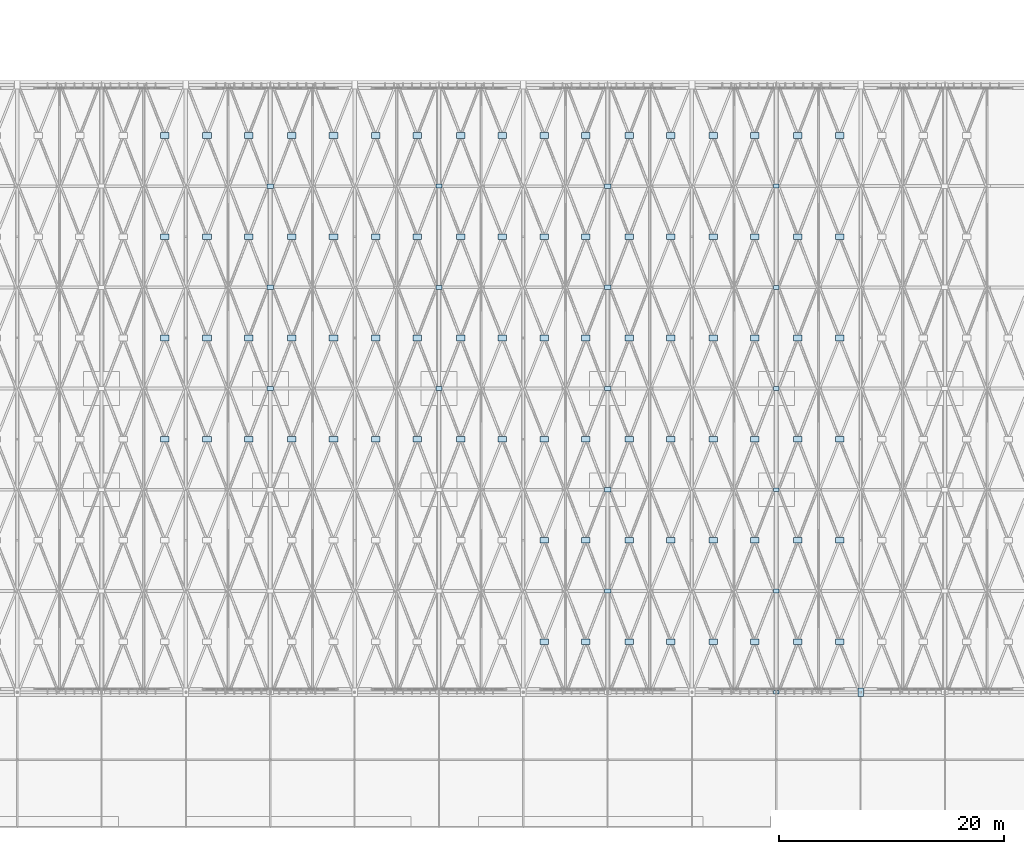
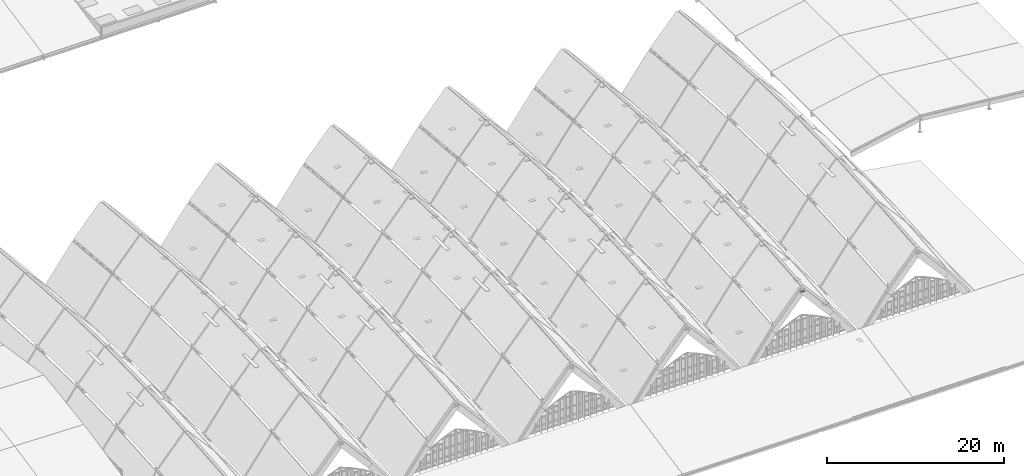
# One storey, part 68 of 93: 102 plates.
"""IFC4 building model written with IfcOpenShell, lengths in metres."""

import ifcopenshell
import ifcopenshell.guid

model = None  # the IFC model being written
_history = None  # IfcOwnerHistory: only IFC2X3 demands one
_inside = {}  # id of a spatial element -> (the spatial element, [elements in it])
_under = {}  # id of a project, library or spatial element -> (it, [spatial elements below it])
_declared = {}  # id of a project -> (the project, [libraries it declares])
_typed = {}  # id of a type object -> (the type object, [elements of that type])
_made_of = {}  # id of a material, layer set ... -> (it, [elements and type objects made of it])


def new_model(schema):
    """Start an empty IFC model of exactly this schema.

    Asked for "IFC4X3", IfcOpenShell would pick the latest addendum, in which some entities
    have other attributes; the version numbers below select the first issue.
    IFC2X3 requires an IfcOwnerHistory on every rooted entity: one is made here for all.
    """
    global model, _history
    if schema == "IFC4X3":
        model = ifcopenshell.file(schema_version=(4, 3, 0, 0))
    else:
        model = ifcopenshell.file(schema=schema)
    _inside.clear()
    _under.clear()
    _declared.clear()
    _typed.clear()
    _made_of.clear()
    _history = None
    if model.schema == "IFC2X3":
        org = make("IfcOrganization", Name="unknown")
        user = make(
            "IfcPersonAndOrganization",
            ThePerson=make("IfcPerson", FamilyName="unknown"),
            TheOrganization=org,
        )
        app = make(
            "IfcApplication",
            ApplicationDeveloper=org,
            Version="unknown",
            ApplicationFullName="unknown",
            ApplicationIdentifier="unknown",
        )
        _history = make(
            "IfcOwnerHistory",
            OwningUser=user,
            OwningApplication=app,
            ChangeAction="ADDED",
            CreationDate=0,
        )
    return model


def make(cls, **values):
    """One entity of the class cls with the attributes given. An attribute that is None is left unset."""
    return model.create_entity(
        cls, **{name: value for name, value in values.items() if value is not None}
    )


def rooted(cls, **values):
    """An entity with a GlobalId (a new one), such as an element, a storey or a relation."""
    return make(cls, GlobalId=ifcopenshell.guid.new(), OwnerHistory=_history, **values)


def si_unit(unit_type, name, prefix=None):
    """IfcSIUnit, for example si_unit("LENGTHUNIT", "METRE", prefix="MILLI")."""
    return make("IfcSIUnit", UnitType=unit_type, Prefix=prefix, Name=name)


def assignment(units):
    """IfcUnitAssignment: the units of a project."""
    return None if units is None else make("IfcUnitAssignment", Units=units)


def point(xyz):
    """IfcCartesianPoint."""
    return None if xyz is None else make("IfcCartesianPoint", Coordinates=xyz)


def direction(xyz):
    """IfcDirection."""
    return None if xyz is None else make("IfcDirection", DirectionRatios=xyz)


def frame(location, z_axis=None, x_axis=None):
    """IfcAxis2Placement3D, a coordinate frame: its origin and axes. An axis left out is left unset."""
    return make(
        "IfcAxis2Placement3D",
        Location=point(location),
        Axis=direction(z_axis),
        RefDirection=direction(x_axis),
    )


def frame_2d(location, x_axis=None):
    """IfcAxis2Placement2D, a coordinate frame in the plane: its origin and x axis."""
    return make(
        "IfcAxis2Placement2D", Location=point(location), RefDirection=direction(x_axis)
    )


def origin():
    """The frame at (0, 0, 0) with its axes left unset."""
    return frame((0.0, 0.0, 0.0))


def origin_2d():
    """The frame at (0, 0) in the plane with its x axis left unset."""
    return frame_2d((0.0, 0.0))


def place(relative_to, where):
    """IfcLocalPlacement: puts the frame where relative to a parent placement (None: the world)."""
    return make(
        "IfcLocalPlacement", PlacementRelTo=relative_to, RelativePlacement=where
    )


def context(
    kind, dimensions, precision=None, world=None, true_north=None, identifier=None
):
    """IfcGeometricRepresentationContext, for example the 3D "Model" context."""
    return make(
        "IfcGeometricRepresentationContext",
        ContextIdentifier=identifier,
        ContextType=kind,
        CoordinateSpaceDimension=dimensions,
        Precision=precision,
        WorldCoordinateSystem=world,
        TrueNorth=true_north,
    )


def subcontext(parent, identifier, kind, view, scale=None):
    """IfcGeometricRepresentationSubContext, for example "Body" below "Model"."""
    return make(
        "IfcGeometricRepresentationSubContext",
        ContextIdentifier=identifier,
        ContextType=kind,
        ParentContext=parent,
        TargetScale=scale,
        TargetView=view,
    )


def project(units=None, contexts=None):
    """IfcProject with its units and contexts."""
    return rooted(
        "IfcProject",
        Name="project",
        RepresentationContexts=contexts,
        UnitsInContext=assignment(units),
    )


def spatial(cls, under=None, at=None, **own):
    """A site, building, storey or space (cls), placed at a placement, below another one or the project."""
    s = rooted(cls, ObjectPlacement=at, **own)
    if under is not None:
        _under.setdefault(under.id(), (under, []))[1].append(s)
    return s


def profile(cls, at=None, kind="AREA", **sizes):
    """A parametric profile (cls). Its sizes go by their IFC names, for example OverallWidth=200.0."""
    return make(cls, ProfileType=kind, Position=at, **sizes)


def rectangle(**sizes):
    """IfcRectangleProfileDef."""
    return profile("IfcRectangleProfileDef", **sizes)


def extrude(swept, where, along, depth):
    """IfcExtrudedAreaSolid: the profile swept, set in the frame where, extruded along a direction by depth."""
    return make(
        "IfcExtrudedAreaSolid",
        SweptArea=swept,
        Position=where,
        ExtrudedDirection=direction(along),
        Depth=depth,
    )


def shape(context_of_items, identifier, shape_type, items):
    """IfcShapeRepresentation: the items that make up one representation, for example the "Body"."""
    return make(
        "IfcShapeRepresentation",
        ContextOfItems=context_of_items,
        RepresentationIdentifier=identifier,
        RepresentationType=shape_type,
        Items=items,
    )


def material(Name=None, Category=None):
    """IfcMaterial."""
    return make("IfcMaterial", Name=Name, Category=Category)


def layer(
    of_material, thickness, ventilated=None, Name=None, Category=None, Priority=None
):
    """IfcMaterialLayer: one layer of a wall or slab, of a material (None: an air gap)."""
    return make(
        "IfcMaterialLayer",
        Material=of_material,
        LayerThickness=thickness,
        IsVentilated=ventilated,
        Name=Name,
        Category=Category,
        Priority=Priority,
    )


def layer_set(layers, Name=None):
    """IfcMaterialLayerSet."""
    return make("IfcMaterialLayerSet", MaterialLayers=layers, LayerSetName=Name)


def made_of(thing, what):
    """Note that an element or type object is made of a material, layer set ...; save() writes the relation."""
    if what is not None:
        _made_of.setdefault(what.id(), (what, []))[1].append(thing)
    return thing


def type_object(cls, material=None, **own):
    """A type object (cls), such as IfcWallType, which elements share."""
    return made_of(rooted(cls, **own), material)


def element(
    cls,
    number,
    at=None,
    inside=None,
    cuts=None,
    type_object=None,
    material=None,
    context=None,
    identifier="Body",
    shape_type=None,
    held_by="IfcProductDefinitionShape",
    body=None,
    shapes=None,
    **own,
):
    """One element of the class cls, such as IfcWall. Its Tag is "e" and its number.

    at: its placement. inside: the storey or other place that contains it. cuts: it is an
    opening in that element (IfcRelVoidsElement). A single representation is given by context,
    identifier, shape_type and body (its items); several are given by shapes. held_by: the class
    of the entity that holds the representations. save() writes the other relations.
    """
    e = rooted(cls, Tag="e%d" % number, ObjectPlacement=at, **own)
    if body is not None:
        shapes = [shape(context, identifier, shape_type, body)]
    if shapes is not None:
        e.Representation = make(held_by, Representations=shapes)
    if inside is not None:
        _inside.setdefault(inside.id(), (inside, []))[1].append(e)
    if cuts is not None:
        rooted(
            "IfcRelVoidsElement", RelatingBuildingElement=cuts, RelatedOpeningElement=e
        )
    if type_object is not None:
        _typed.setdefault(type_object.id(), (type_object, []))[1].append(e)
    return made_of(e, material)


def aggregate(whole, parts):
    """IfcRelAggregates: a whole, such as a stair, and the parts it consists of."""
    return rooted("IfcRelAggregates", RelatingObject=whole, RelatedObjects=parts)


def save(model, path):
    """Write the relations noted so far, then the file.

    IfcRelAggregates (storeys below a building ...), IfcRelContainedInSpatialStructure (elements
    in a storey), IfcRelDefinesByType, IfcRelAssociatesMaterial and IfcRelDeclares: one each for
    every whole, place, type object, material and project.
    """
    for whole, parts in _under.values():
        aggregate(whole, parts)
    for where, things in _inside.values():
        rooted(
            "IfcRelContainedInSpatialStructure",
            RelatedElements=things,
            RelatingStructure=where,
        )
    for kind, things in _typed.values():
        rooted("IfcRelDefinesByType", RelatedObjects=things, RelatingType=kind)
    for what, things in _made_of.values():
        rooted("IfcRelAssociatesMaterial", RelatedObjects=things, RelatingMaterial=what)
    for by, libraries in _declared.values():
        rooted("IfcRelDeclares", RelatingContext=by, RelatedDefinitions=libraries)
    model.write(path)


model = new_model("IFC4")

# Units and contexts
model_context = context("Model", 3, precision=1e-05, world=origin(), true_north=direction((0.0, 1.0)))
body_context = subcontext(model_context, "Body", "Model", "MODEL_VIEW")
ifc_project = project(units=[si_unit("LENGTHUNIT", "METRE"), si_unit("AREAUNIT", "SQUARE_METRE"), si_unit("VOLUMEUNIT", "CUBIC_METRE"), si_unit("PLANEANGLEUNIT", "RADIAN"), si_unit("MASSUNIT", "GRAM", prefix="KILO")], contexts=[model_context])

# Site, building, storey
site_placement = place(None, origin())
site = spatial("IfcSite", under=ifc_project, at=site_placement, CompositionType="ELEMENT")
building_placement = place(site_placement, origin())
building = spatial("IfcBuilding", under=site, at=building_placement, Name="Vourika Railside Aquatics Centre", CompositionType="ELEMENT")
storey_placement = place(building_placement, frame((0.0, 0.0, 21.89990234375)))
storey = spatial("IfcBuildingStorey", under=building, at=storey_placement, Name="Roof", CompositionType="ELEMENT", Elevation=21.89990234375)

# Plates
ifc_material = material(Name="Duplex stainless steel EN 1.4462", Category="steel")
ifc_layer_1 = layer(ifc_material, 0.02001953125, Name="PLT-RIDGE-520x340x20")
ifc_layer_set_1 = layer_set([ifc_layer_1], Name="Duplex stainless steel EN 1.4462")
plate_type_1 = type_object("IfcPlateType", Name="PLT-RIDGE-520x340x20", PredefinedType="USERDEFINED", material=ifc_layer_set_1)
for number, where, z_axis, x_axis, name in (
    (1, (88.5, 39.0, -0.7099609375), (0.0, 0.0, 1.0), (1.0, 0.0, 0.0), "Stainless Vault Ridge Gusset Plate SN-199"),
    (2, (88.5, 48.0, -0.92431640625), (0.0, 0.0, 1.0), (1.0, 0.0, 0.0), "Stainless Vault Ridge Gusset Plate SN-200"),
    (3, (88.5, 57.0, -1.510009765625), (0.0, 0.0, 1.0), (1.0, 0.0, 0.0), "Stainless Vault Ridge Gusset Plate SN-201"),
    (4, (118.5, 12.0, -2.309814453125), (0.0, 0.0, 1.0), (1.0, 0.0, 0.0), "Stainless Vault Ridge Gusset Plate SN-258"),
    (5, (118.5, 21.0, -1.510009765625), (0.0, 0.0, 1.0), (1.0, 0.0, 0.0), "Stainless Vault Ridge Gusset Plate SN-259"),
    (6, (118.5, 30.0, -0.92431640625), (0.0, 0.0, 1.0), (1.0, 0.0, 0.0), "Stainless Vault Ridge Gusset Plate SN-260"),
    (7, (118.5, 39.0, -0.7099609375), (0.0, 0.0, 1.0), (1.0, 0.0, 0.0), "Stainless Vault Ridge Gusset Plate SN-261"),
    (8, (118.5, 48.0, -0.92431640625), (0.0, 0.0, 1.0), (1.0, 0.0, 0.0), "Stainless Vault Ridge Gusset Plate SN-262"),
    (9, (118.5, 57.0, -1.510009765625), (0.0, 0.0, 1.0), (1.0, 0.0, 0.0), "Stainless Vault Ridge Gusset Plate SN-263"),
):
    element("IfcPlate", number, at=place(storey_placement, frame(where, z_axis=z_axis, x_axis=x_axis)), inside=storey, type_object=plate_type_1, Name=name, ObjectType="GUSSET PLATE", PredefinedType="USERDEFINED", context=body_context, shape_type="SweptSolid", body=[
        extrude(rectangle(XDim=0.52001953125, YDim=0.340087890625, at=origin_2d()), origin(), (0.0, 0.0, 1.0), 0.02001953125),
    ])
ifc_layer_2 = layer(ifc_material, 0.02490234375, Name="PLT-RIDGE-580x380x25")
ifc_layer_set_2 = layer_set([ifc_layer_2], Name="Duplex stainless steel EN 1.4462")
plate_type_2 = type_object("IfcPlateType", Name="PLT-RIDGE-580x380x25", PredefinedType="USERDEFINED", material=ifc_layer_set_2)
for number, where, z_axis, x_axis, name in (
    (10, (73.5, 39.0, -0.71240234375), (0.0, 0.0, 1.0), (1.0, 0.0, 0.0), "Stainless Vault Ridge Gusset Plate SN-168"),
    (11, (73.5, 48.0, -0.9267578125), (0.0, 0.0, 1.0), (1.0, 0.0, 0.0), "Stainless Vault Ridge Gusset Plate SN-169"),
    (12, (73.5, 57.0, -1.512451171875), (0.0, 0.0, 1.0), (1.0, 0.0, 0.0), "Stainless Vault Ridge Gusset Plate SN-170"),
    (13, (103.5, 21.0, -1.512451171875), (0.0, 0.0, 1.0), (1.0, 0.0, 0.0), "Stainless Vault Ridge Gusset Plate SN-228"),
    (14, (103.5, 30.0, -0.9267578125), (0.0, 0.0, 1.0), (1.0, 0.0, 0.0), "Stainless Vault Ridge Gusset Plate SN-229"),
    (15, (103.5, 39.0, -0.71240234375), (0.0, 0.0, 1.0), (1.0, 0.0, 0.0), "Stainless Vault Ridge Gusset Plate SN-230"),
    (16, (103.5, 48.0, -0.9267578125), (0.0, 0.0, 1.0), (1.0, 0.0, 0.0), "Stainless Vault Ridge Gusset Plate SN-231"),
    (17, (103.5, 57.0, -1.512451171875), (0.0, 0.0, 1.0), (1.0, 0.0, 0.0), "Stainless Vault Ridge Gusset Plate SN-232"),
):
    element("IfcPlate", number, at=place(storey_placement, frame(where, z_axis=z_axis, x_axis=x_axis)), inside=storey, type_object=plate_type_2, Name=name, ObjectType="GUSSET PLATE", PredefinedType="USERDEFINED", context=body_context, shape_type="SweptSolid", body=[
        extrude(rectangle(XDim=0.580078125, YDim=0.3798828125, at=origin_2d()), origin(), (0.0, 0.0, 1.0), 0.02490234375),
    ])
ifc_layer_3 = layer(ifc_material, 0.028076171875, Name="PLT-VAL-760x500x28")
ifc_layer_set_3 = layer_set([ifc_layer_3], Name="Duplex stainless steel EN 1.4462")
plate_type_3 = type_object("IfcPlateType", Name="PLT-VAL-760x500x28", PredefinedType="USERDEFINED", material=ifc_layer_set_3)
for number, where, z_axis, x_axis, name in (
    (18, (126.0, 12.0, -11.7138671875), (0.0, 0.0, 1.0), (0.0, 1.0, 0.0), "Stainless Valley Truss Gusset SN-096"),
    (19, (64.125, 34.5, -7.6689453125), (0.0, 0.0, 1.0), (1.0, 0.0, 0.0), "Gridshell X-Brace Crossing Node Gusset SN-0152"),
    (20, (64.125, 43.5, -7.6689453125), (0.0, 0.0, 1.0), (1.0, 0.0, 0.0), "Gridshell X-Brace Crossing Node Gusset SN-0156"),
    (21, (64.125, 52.5, -8.0693359375), (0.0, 0.0, 1.0), (1.0, 0.0, 0.0), "Gridshell X-Brace Crossing Node Gusset SN-0160"),
    (22, (64.125, 61.5, -8.763671875), (0.0, 0.0, 1.0), (1.0, 0.0, 0.0), "Gridshell X-Brace Crossing Node Gusset SN-0164"),
    (23, (67.875, 34.5, -7.6689453125), (0.0, 0.0, 1.0), (1.0, 0.0, 0.0), "Gridshell X-Brace Crossing Node Gusset SN-0180"),
    (24, (71.572509765625, 34.5, -3.029296875), (0.0, 0.0, 1.0), (1.0, 0.0, 0.0), "Gridshell X-Brace Crossing Node Gusset SN-0181"),
    (25, (75.427490234375, 34.5, -3.029296875), (0.0, 0.0, 1.0), (1.0, 0.0, 0.0), "Gridshell X-Brace Crossing Node Gusset SN-0182"),
    (26, (79.125, 34.5, -7.6689453125), (0.0, 0.0, 1.0), (1.0, 0.0, 0.0), "Gridshell X-Brace Crossing Node Gusset SN-0183"),
    (27, (67.875, 43.5, -7.6689453125), (0.0, 0.0, 1.0), (1.0, 0.0, 0.0), "Gridshell X-Brace Crossing Node Gusset SN-0184"),
    (28, (71.572509765625, 43.5, -3.029296875), (0.0, 0.0, 1.0), (1.0, 0.0, 0.0), "Gridshell X-Brace Crossing Node Gusset SN-0185"),
    (29, (75.427490234375, 43.5, -3.029296875), (0.0, 0.0, 1.0), (1.0, 0.0, 0.0), "Gridshell X-Brace Crossing Node Gusset SN-0186"),
    (30, (79.125, 43.5, -7.6689453125), (0.0, 0.0, 1.0), (1.0, 0.0, 0.0), "Gridshell X-Brace Crossing Node Gusset SN-0187"),
    (31, (67.875, 52.5, -8.0693359375), (0.0, 0.0, 1.0), (1.0, 0.0, 0.0), "Gridshell X-Brace Crossing Node Gusset SN-0188"),
    (32, (71.572509765625, 52.5, -3.4296875), (0.0, 0.0, 1.0), (1.0, 0.0, 0.0), "Gridshell X-Brace Crossing Node Gusset SN-0189"),
    (33, (75.427490234375, 52.5, -3.4296875), (0.0, 0.0, 1.0), (1.0, 0.0, 0.0), "Gridshell X-Brace Crossing Node Gusset SN-0190"),
    (34, (79.125, 52.5, -8.0693359375), (0.0, 0.0, 1.0), (1.0, 0.0, 0.0), "Gridshell X-Brace Crossing Node Gusset SN-0191"),
    (35, (67.875, 61.5, -8.763671875), (0.0, 0.0, 1.0), (1.0, 0.0, 0.0), "Gridshell X-Brace Crossing Node Gusset SN-0192"),
    (36, (71.572509765625, 61.5, -4.12353515625), (0.0, 0.0, 1.0), (1.0, 0.0, 0.0), "Gridshell X-Brace Crossing Node Gusset SN-0193"),
    (37, (75.427490234375, 61.5, -4.12353515625), (0.0, 0.0, 1.0), (1.0, 0.0, 0.0), "Gridshell X-Brace Crossing Node Gusset SN-0194"),
    (38, (79.125, 61.5, -8.763671875), (0.0, 0.0, 1.0), (1.0, 0.0, 0.0), "Gridshell X-Brace Crossing Node Gusset SN-0195"),
    (39, (82.875, 34.5, -7.6689453125), (0.0, 0.0, 1.0), (1.0, 0.0, 0.0), "Gridshell X-Brace Crossing Node Gusset SN-0211"),
    (40, (86.572509765625, 34.5, -3.029296875), (0.0, 0.0, 1.0), (1.0, 0.0, 0.0), "Gridshell X-Brace Crossing Node Gusset SN-0212"),
    (41, (90.427490234375, 34.5, -3.029296875), (0.0, 0.0, 1.0), (1.0, 0.0, 0.0), "Gridshell X-Brace Crossing Node Gusset SN-0213"),
    (42, (94.125, 34.5, -7.6689453125), (0.0, 0.0, 1.0), (1.0, 0.0, 0.0), "Gridshell X-Brace Crossing Node Gusset SN-0214"),
    (43, (82.875, 43.5, -7.6689453125), (0.0, 0.0, 1.0), (1.0, 0.0, 0.0), "Gridshell X-Brace Crossing Node Gusset SN-0215"),
    (44, (86.572509765625, 43.5, -3.029296875), (0.0, 0.0, 1.0), (1.0, 0.0, 0.0), "Gridshell X-Brace Crossing Node Gusset SN-0216"),
    (45, (90.427490234375, 43.5, -3.029296875), (0.0, 0.0, 1.0), (1.0, 0.0, 0.0), "Gridshell X-Brace Crossing Node Gusset SN-0217"),
    (46, (94.125, 43.5, -7.6689453125), (0.0, 0.0, 1.0), (1.0, 0.0, 0.0), "Gridshell X-Brace Crossing Node Gusset SN-0218"),
    (47, (82.875, 52.5, -8.0693359375), (0.0, 0.0, 1.0), (1.0, 0.0, 0.0), "Gridshell X-Brace Crossing Node Gusset SN-0219"),
    (48, (86.572509765625, 52.5, -3.4296875), (0.0, 0.0, 1.0), (1.0, 0.0, 0.0), "Gridshell X-Brace Crossing Node Gusset SN-0220"),
    (49, (90.427490234375, 52.5, -3.4296875), (0.0, 0.0, 1.0), (1.0, 0.0, 0.0), "Gridshell X-Brace Crossing Node Gusset SN-0221"),
    (50, (94.125, 52.5, -8.0693359375), (0.0, 0.0, 1.0), (1.0, 0.0, 0.0), "Gridshell X-Brace Crossing Node Gusset SN-0222"),
    (51, (82.875, 61.5, -8.763671875), (0.0, 0.0, 1.0), (1.0, 0.0, 0.0), "Gridshell X-Brace Crossing Node Gusset SN-0223"),
    (52, (86.572509765625, 61.5, -4.12353515625), (0.0, 0.0, 1.0), (1.0, 0.0, 0.0), "Gridshell X-Brace Crossing Node Gusset SN-0224"),
    (53, (90.427490234375, 61.5, -4.12353515625), (0.0, 0.0, 1.0), (1.0, 0.0, 0.0), "Gridshell X-Brace Crossing Node Gusset SN-0225"),
    (54, (94.125, 61.5, -8.763671875), (0.0, 0.0, 1.0), (1.0, 0.0, 0.0), "Gridshell X-Brace Crossing Node Gusset SN-0226"),
    (55, (97.875, 16.5, -8.763671875), (0.0, 0.0, 1.0), (1.0, 0.0, 0.0), "Gridshell X-Brace Crossing Node Gusset SN-0234"),
    (56, (101.572509765625, 16.5, -4.12353515625), (0.0, 0.0, 1.0), (1.0, 0.0, 0.0), "Gridshell X-Brace Crossing Node Gusset SN-0235"),
    (57, (105.427490234375, 16.5, -4.12353515625), (0.0, 0.0, 1.0), (1.0, 0.0, 0.0), "Gridshell X-Brace Crossing Node Gusset SN-0236"),
    (58, (109.125, 16.5, -8.763671875), (0.0, 0.0, 1.0), (1.0, 0.0, 0.0), "Gridshell X-Brace Crossing Node Gusset SN-0237"),
    (59, (97.875, 25.5, -8.0693359375), (0.0, 0.0, 1.0), (1.0, 0.0, 0.0), "Gridshell X-Brace Crossing Node Gusset SN-0238"),
    (60, (101.572509765625, 25.5, -3.4296875), (0.0, 0.0, 1.0), (1.0, 0.0, 0.0), "Gridshell X-Brace Crossing Node Gusset SN-0239"),
    (61, (105.427490234375, 25.5, -3.4296875), (0.0, 0.0, 1.0), (1.0, 0.0, 0.0), "Gridshell X-Brace Crossing Node Gusset SN-0240"),
    (62, (109.125, 25.5, -8.0693359375), (0.0, 0.0, 1.0), (1.0, 0.0, 0.0), "Gridshell X-Brace Crossing Node Gusset SN-0241"),
    (63, (97.875, 34.5, -7.6689453125), (0.0, 0.0, 1.0), (1.0, 0.0, 0.0), "Gridshell X-Brace Crossing Node Gusset SN-0242"),
    (64, (101.572509765625, 34.5, -3.029296875), (0.0, 0.0, 1.0), (1.0, 0.0, 0.0), "Gridshell X-Brace Crossing Node Gusset SN-0243"),
    (65, (105.427490234375, 34.5, -3.029296875), (0.0, 0.0, 1.0), (1.0, 0.0, 0.0), "Gridshell X-Brace Crossing Node Gusset SN-0244"),
    (66, (109.125, 34.5, -7.6689453125), (0.0, 0.0, 1.0), (1.0, 0.0, 0.0), "Gridshell X-Brace Crossing Node Gusset SN-0245"),
    (67, (97.875, 43.5, -7.6689453125), (0.0, 0.0, 1.0), (1.0, 0.0, 0.0), "Gridshell X-Brace Crossing Node Gusset SN-0246"),
    (68, (101.572509765625, 43.5, -3.029296875), (0.0, 0.0, 1.0), (1.0, 0.0, 0.0), "Gridshell X-Brace Crossing Node Gusset SN-0247"),
    (69, (105.427490234375, 43.5, -3.029296875), (0.0, 0.0, 1.0), (1.0, 0.0, 0.0), "Gridshell X-Brace Crossing Node Gusset SN-0248"),
    (70, (109.125, 43.5, -7.6689453125), (0.0, 0.0, 1.0), (1.0, 0.0, 0.0), "Gridshell X-Brace Crossing Node Gusset SN-0249"),
    (71, (97.875, 52.5, -8.0693359375), (0.0, 0.0, 1.0), (1.0, 0.0, 0.0), "Gridshell X-Brace Crossing Node Gusset SN-0250"),
    (72, (101.572509765625, 52.5, -3.4296875), (0.0, 0.0, 1.0), (1.0, 0.0, 0.0), "Gridshell X-Brace Crossing Node Gusset SN-0251"),
    (73, (105.427490234375, 52.5, -3.4296875), (0.0, 0.0, 1.0), (1.0, 0.0, 0.0), "Gridshell X-Brace Crossing Node Gusset SN-0252"),
    (74, (109.125, 52.5, -8.0693359375), (0.0, 0.0, 1.0), (1.0, 0.0, 0.0), "Gridshell X-Brace Crossing Node Gusset SN-0253"),
    (75, (97.875, 61.5, -8.763671875), (0.0, 0.0, 1.0), (1.0, 0.0, 0.0), "Gridshell X-Brace Crossing Node Gusset SN-0254"),
    (76, (101.572509765625, 61.5, -4.12353515625), (0.0, 0.0, 1.0), (1.0, 0.0, 0.0), "Gridshell X-Brace Crossing Node Gusset SN-0255"),
    (77, (105.427490234375, 61.5, -4.12353515625), (0.0, 0.0, 1.0), (1.0, 0.0, 0.0), "Gridshell X-Brace Crossing Node Gusset SN-0256"),
    (78, (109.125, 61.5, -8.763671875), (0.0, 0.0, 1.0), (1.0, 0.0, 0.0), "Gridshell X-Brace Crossing Node Gusset SN-0257"),
    (79, (112.875, 16.5, -8.763671875), (0.0, 0.0, 1.0), (1.0, 0.0, 0.0), "Gridshell X-Brace Crossing Node Gusset SN-0265"),
    (80, (116.572509765625, 16.5, -4.12353515625), (0.0, 0.0, 1.0), (1.0, 0.0, 0.0), "Gridshell X-Brace Crossing Node Gusset SN-0266"),
    (81, (120.427490234375, 16.5, -4.12353515625), (0.0, 0.0, 1.0), (1.0, 0.0, 0.0), "Gridshell X-Brace Crossing Node Gusset SN-0267"),
    (82, (124.125, 16.5, -8.763671875), (0.0, 0.0, 1.0), (1.0, 0.0, 0.0), "Gridshell X-Brace Crossing Node Gusset SN-0268"),
    (83, (112.875, 25.5, -8.0693359375), (0.0, 0.0, 1.0), (1.0, 0.0, 0.0), "Gridshell X-Brace Crossing Node Gusset SN-0269"),
    (84, (116.572509765625, 25.5, -3.4296875), (0.0, 0.0, 1.0), (1.0, 0.0, 0.0), "Gridshell X-Brace Crossing Node Gusset SN-0270"),
    (85, (120.427490234375, 25.5, -3.4296875), (0.0, 0.0, 1.0), (1.0, 0.0, 0.0), "Gridshell X-Brace Crossing Node Gusset SN-0271"),
    (86, (124.125, 25.5, -8.0693359375), (0.0, 0.0, 1.0), (1.0, 0.0, 0.0), "Gridshell X-Brace Crossing Node Gusset SN-0272"),
    (87, (112.875, 34.5, -7.6689453125), (0.0, 0.0, 1.0), (1.0, 0.0, 0.0), "Gridshell X-Brace Crossing Node Gusset SN-0273"),
    (88, (116.572509765625, 34.5, -3.029296875), (0.0, 0.0, 1.0), (1.0, 0.0, 0.0), "Gridshell X-Brace Crossing Node Gusset SN-0274"),
    (89, (120.427490234375, 34.5, -3.029296875), (0.0, 0.0, 1.0), (1.0, 0.0, 0.0), "Gridshell X-Brace Crossing Node Gusset SN-0275"),
    (90, (124.125, 34.5, -7.6689453125), (0.0, 0.0, 1.0), (1.0, 0.0, 0.0), "Gridshell X-Brace Crossing Node Gusset SN-0276"),
    (91, (112.875, 43.5, -7.6689453125), (0.0, 0.0, 1.0), (1.0, 0.0, 0.0), "Gridshell X-Brace Crossing Node Gusset SN-0277"),
    (92, (116.572509765625, 43.5, -3.029296875), (0.0, 0.0, 1.0), (1.0, 0.0, 0.0), "Gridshell X-Brace Crossing Node Gusset SN-0278"),
    (93, (120.427490234375, 43.5, -3.029296875), (0.0, 0.0, 1.0), (1.0, 0.0, 0.0), "Gridshell X-Brace Crossing Node Gusset SN-0279"),
    (94, (124.125, 43.5, -7.6689453125), (0.0, 0.0, 1.0), (1.0, 0.0, 0.0), "Gridshell X-Brace Crossing Node Gusset SN-0280"),
    (95, (112.875, 52.5, -8.0693359375), (0.0, 0.0, 1.0), (1.0, 0.0, 0.0), "Gridshell X-Brace Crossing Node Gusset SN-0281"),
    (96, (116.572509765625, 52.5, -3.4296875), (0.0, 0.0, 1.0), (1.0, 0.0, 0.0), "Gridshell X-Brace Crossing Node Gusset SN-0282"),
    (97, (120.427490234375, 52.5, -3.4296875), (0.0, 0.0, 1.0), (1.0, 0.0, 0.0), "Gridshell X-Brace Crossing Node Gusset SN-0283"),
    (98, (124.125, 52.5, -8.0693359375), (0.0, 0.0, 1.0), (1.0, 0.0, 0.0), "Gridshell X-Brace Crossing Node Gusset SN-0284"),
    (99, (112.875, 61.5, -8.763671875), (0.0, 0.0, 1.0), (1.0, 0.0, 0.0), "Gridshell X-Brace Crossing Node Gusset SN-0285"),
    (100, (116.572509765625, 61.5, -4.12353515625), (0.0, 0.0, 1.0), (1.0, 0.0, 0.0), "Gridshell X-Brace Crossing Node Gusset SN-0286"),
    (101, (120.427490234375, 61.5, -4.12353515625), (0.0, 0.0, 1.0), (1.0, 0.0, 0.0), "Gridshell X-Brace Crossing Node Gusset SN-0287"),
    (102, (124.125, 61.5, -8.763671875), (0.0, 0.0, 1.0), (1.0, 0.0, 0.0), "Gridshell X-Brace Crossing Node Gusset SN-0288"),
):
    element("IfcPlate", number, at=place(storey_placement, frame(where, z_axis=z_axis, x_axis=x_axis)), inside=storey, type_object=plate_type_3, Name=name, ObjectType="GUSSET PLATE", PredefinedType="USERDEFINED", context=body_context, shape_type="SweptSolid", body=[
        extrude(rectangle(XDim=0.760009765625, YDim=0.5, at=origin_2d()), origin(), (0.0, 0.0, 1.0), 0.028076171875),
    ])

save(model, "model.ifc")
